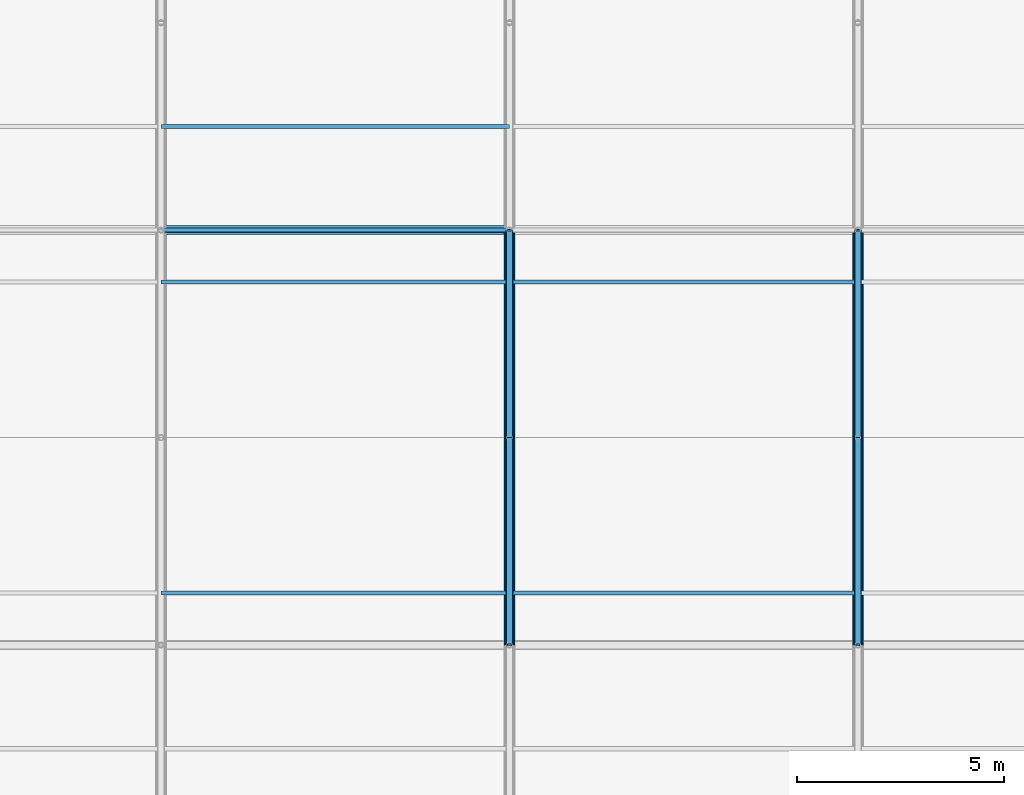
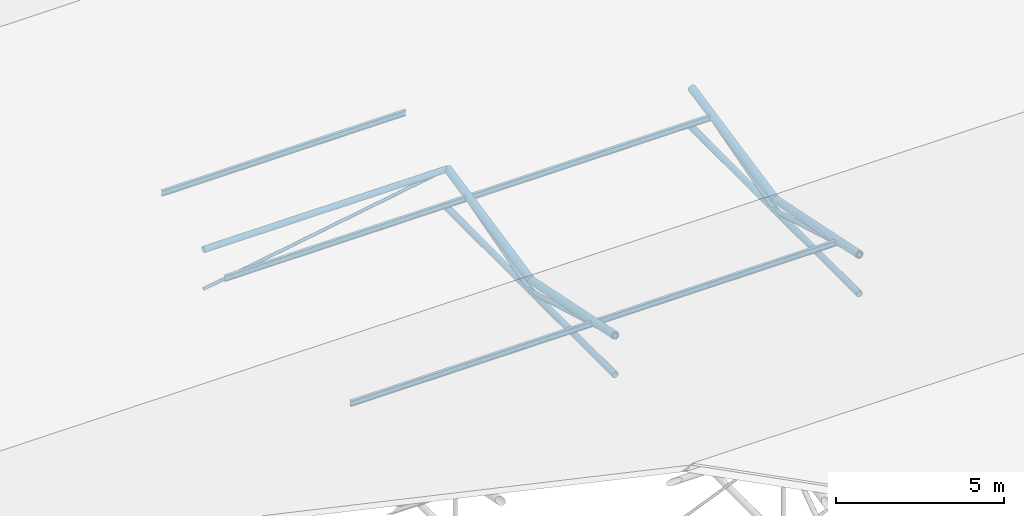
# One storey, part 51 of 194: 14 members, 5 beams.
"""IFC4 building model written with IfcOpenShell, lengths in metres."""

from ifc_helpers import new_model, si_unit, direction, frame, origin, origin_2d, place, context, subcontext, project, spatial, hollow_circle, i_section, extrude, material, material_profile, profile_set, type_object, element, save


model = new_model("IFC4")

# Units and contexts
model_context = context("Model", 3, precision=1e-05, world=origin(), true_north=direction((0.0, 1.0)))
body_context = subcontext(model_context, "Body", "Model", "MODEL_VIEW")
ifc_project = project(units=[si_unit("LENGTHUNIT", "METRE"), si_unit("AREAUNIT", "SQUARE_METRE"), si_unit("VOLUMEUNIT", "CUBIC_METRE"), si_unit("PLANEANGLEUNIT", "RADIAN"), si_unit("MASSUNIT", "GRAM", prefix="KILO")], contexts=[model_context])

# Site, building, storey
site_placement = place(None, origin())
site = spatial("IfcSite", under=ifc_project, at=site_placement, CompositionType="ELEMENT")
building_placement = place(site_placement, origin())
building = spatial("IfcBuilding", under=site, at=building_placement, Name="Kazenagashi Tramway Depot", CompositionType="ELEMENT")
storey_placement = place(building_placement, frame((0.0, 0.0, 23.7)))
storey = spatial("IfcBuildingStorey", under=building, at=storey_placement, Name="ROOF", CompositionType="ELEMENT", Elevation=23.7)

# Beams
ifc_material_1 = material(Name="Steel SN400B", Category="steel")
ifc_material_profile_1 = material_profile(ifc_material_1, i_section(OverallWidth=0.1, OverallDepth=0.2, WebThickness=0.0055, FlangeThickness=0.008, at=origin_2d()), Name="H-200x100x5.5x8")
ifc_profile_set_1 = profile_set([ifc_material_profile_1], Name="Steel SN400B")
beam_type = type_object("IfcBeamType", Name="PR-01", PredefinedType="USERDEFINED", material=ifc_profile_set_1)
for number, where, z_axis, x_axis, name in (
    (1, (95.2, 96.25, -12.955), (1.0, 0.0, 0.0), (0.0, 1.0, 0.0), "Beam PR-01 BM-2114"),
    (2, (103.6, 96.25, -12.955), (1.0, 0.0, 0.0), (0.0, 1.0, 0.0), "Beam PR-01 BM-2115"),
    (3, (95.2, 103.75, -12.955), (1.0, 0.0, 0.0), (0.0, 1.0, 0.0), "Beam PR-01 BM-2132"),
    (4, (103.6, 103.75, -12.955), (1.0, 0.0, 0.0), (0.0, 1.0, 0.0), "Beam PR-01 BM-2133"),
    (5, (95.2, 107.5, -12.13), (1.0, 0.0, 0.0), (0.0, 1.0, 0.0), "Beam PR-01 BM-2150"),
):
    element("IfcBeam", number, at=place(storey_placement, frame(where, z_axis=z_axis, x_axis=x_axis)), inside=storey, type_object=beam_type, Name=name, ObjectType="PURLIN", PredefinedType="USERDEFINED", context=body_context, shape_type="SweptSolid", body=[
        extrude(i_section(OverallWidth=0.1, OverallDepth=0.2, WebThickness=0.0055, FlangeThickness=0.008, at=origin_2d()), origin(), (0.0, 0.0, 1.0), 8.4),
    ])

# Members
ifc_material_2 = material(Name="Steel STK490", Category="steel")
ifc_material_profile_2 = material_profile(ifc_material_2, hollow_circle(Radius=0.1337, WallThickness=0.0093, at=origin_2d()), Name="CHS-267.4x9.3")
ifc_profile_set_2 = profile_set([ifc_material_profile_2], Name="Steel STK490")
member_type_1 = type_object("IfcMemberType", Name="TC-01", PredefinedType="CHORD", material=ifc_profile_set_2)
for number, where, z_axis, x_axis, name in (
    (6, (103.6, 95.0, -12.667), (0.0, 0.979317999984, -0.202327098797), (-1.0, 0.0, 0.0), "Tubular Space Frame TC-01 MEM-0443"),
    (7, (103.6, 100.0, -13.7), (0.0, 0.979317999984, 0.202327098797), (-1.0, 0.0, 0.0), "Tubular Space Frame TC-01 MEM-0459"),
    (8, (112.0, 95.0, -12.667), (0.0, 0.979317999984, -0.202327098797), (-1.0, 0.0, 0.0), "Tubular Space Frame TC-01 MEM-0504"),
    (9, (112.0, 100.0, -13.7), (0.0, 0.979317999984, 0.202327098797), (-1.0, 0.0, 0.0), "Tubular Space Frame TC-01 MEM-0520"),
):
    element("IfcMember", number, at=place(storey_placement, frame(where, z_axis=z_axis, x_axis=x_axis)), inside=storey, type_object=member_type_1, Name=name, PredefinedType="CHORD", context=body_context, shape_type="SweptSolid", body=[
        extrude(hollow_circle(Radius=0.1337, WallThickness=0.0093, at=origin_2d()), origin(), (0.0, 0.0, 1.0), 5.105594),
    ])
ifc_material_profile_3 = material_profile(ifc_material_2, hollow_circle(Radius=0.10815, WallThickness=0.0082, at=origin_2d()), Name="CHS-216.3x8.2")
ifc_profile_set_3 = profile_set([ifc_material_profile_3], Name="Steel STK490")
member_type_2 = type_object("IfcMemberType", Name="TC-02", PredefinedType="CHORD", material=ifc_profile_set_3)
member_1_placement = place(storey_placement, frame((95.2, 105.0, -12.667), z_axis=(1.0, 0.0, 0.0), x_axis=(0.0, 1.0, 0.0)))
element("IfcMember", 10, at=member_1_placement, inside=storey, type_object=member_type_2, Name="Tubular Space Frame TC-02 MEM-0422", PredefinedType="CHORD", context=body_context, shape_type="SweptSolid", body=[
    extrude(hollow_circle(Radius=0.10815, WallThickness=0.0082, at=origin_2d()), origin(), (0.0, 0.0, 1.0), 8.4),
])
for number, where, z_axis, x_axis, name in (
    (11, (103.6, 95.0, -14.1), (0.0, 1.0, 0.0), (-1.0, 0.0, 0.0), "Tubular Space Frame TC-02 MEM-0444"),
    (12, (103.6, 100.0, -14.1), (0.0, 1.0, 0.0), (-1.0, 0.0, 0.0), "Tubular Space Frame TC-02 MEM-0460"),
    (13, (112.0, 95.0, -14.1), (0.0, 1.0, 0.0), (-1.0, 0.0, 0.0), "Tubular Space Frame TC-02 MEM-0505"),
    (14, (112.0, 100.0, -14.1), (0.0, 1.0, 0.0), (-1.0, 0.0, 0.0), "Tubular Space Frame TC-02 MEM-0521"),
):
    element("IfcMember", number, at=place(storey_placement, frame(where, z_axis=z_axis, x_axis=x_axis)), inside=storey, type_object=member_type_2, Name=name, PredefinedType="CHORD", context=body_context, shape_type="SweptSolid", body=[
        extrude(hollow_circle(Radius=0.10815, WallThickness=0.0082, at=origin_2d()), origin(), (0.0, 0.0, 1.0), 5.0),
    ])
ifc_material_profile_4 = material_profile(ifc_material_2, hollow_circle(Radius=0.0826, WallThickness=0.0071, at=origin_2d()), Name="CHS-165.2x7.1")
ifc_profile_set_4 = profile_set([ifc_material_profile_4], Name="Steel STK490")
member_type_3 = type_object("IfcMemberType", Name="TS-01", PredefinedType="STRUT", material=ifc_profile_set_4)
for number, where, z_axis, x_axis, name in (
    (15, (103.6, 95.0, -12.667), (0.0, 0.961298717795, -0.27550821252), (-1.0, 0.0, 0.0), "Tubular Space Frame TS-01 MEM-0445"),
    (16, (103.6, 100.0, -14.1), (0.0, 0.961298717795, 0.27550821252), (-1.0, 0.0, 0.0), "Tubular Space Frame TS-01 MEM-0461"),
    (17, (112.0, 95.0, -12.667), (0.0, 0.961298717795, -0.27550821252), (-1.0, 0.0, 0.0), "Tubular Space Frame TS-01 MEM-0506"),
    (18, (112.0, 100.0, -14.1), (0.0, 0.961298717795, 0.27550821252), (-1.0, 0.0, 0.0), "Tubular Space Frame TS-01 MEM-0522"),
):
    element("IfcMember", number, at=place(storey_placement, frame(where, z_axis=z_axis, x_axis=x_axis)), inside=storey, type_object=member_type_3, Name=name, PredefinedType="STRUT", context=body_context, shape_type="SweptSolid", body=[
        extrude(hollow_circle(Radius=0.0826, WallThickness=0.0071, at=origin_2d()), origin(), (0.0, 0.0, 1.0), 5.201297),
    ])
ifc_material_3 = material(Name="Steel STK400", Category="steel")
ifc_material_profile_5 = material_profile(ifc_material_3, hollow_circle(Radius=0.05715, WallThickness=0.0045, at=origin_2d()), Name="CHS-114.3x4.5")
ifc_profile_set_5 = profile_set([ifc_material_profile_5], Name="Steel STK400")
member_type_4 = type_object("IfcMemberType", Name="TS-03", PredefinedType="STRUT", material=ifc_profile_set_5)
member_2_placement = place(storey_placement, frame((95.2, 105.0, -14.1), z_axis=(0.985758734117, 0.0, 0.168165745951), x_axis=(0.0, 1.0, 0.0)))
element("IfcMember", 19, at=member_2_placement, inside=storey, type_object=member_type_4, Name="Tubular Space Frame TS-03 MEM-0423", PredefinedType="STRUT", context=body_context, shape_type="SweptSolid", body=[
    extrude(hollow_circle(Radius=0.05715, WallThickness=0.0045, at=origin_2d()), origin(), (0.0, 0.0, 1.0), 8.521355),
])

save(model, "model.ifc")
